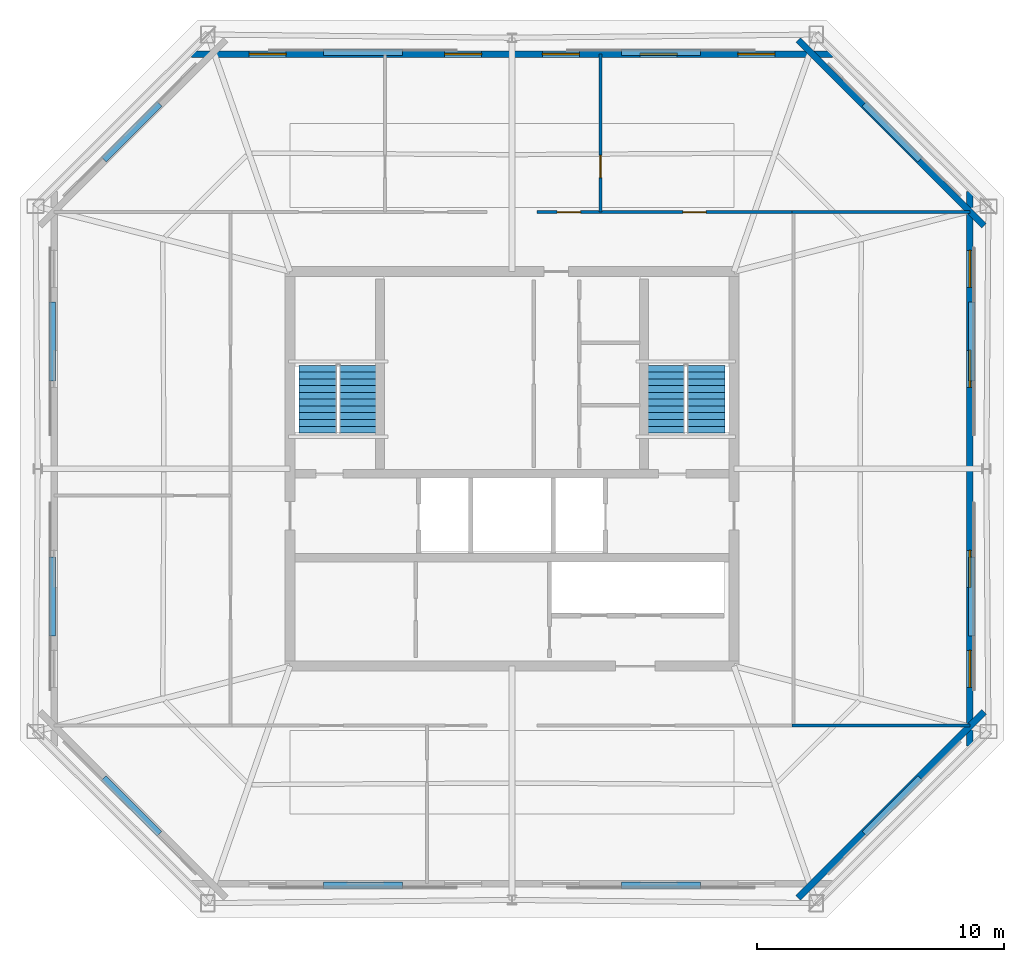
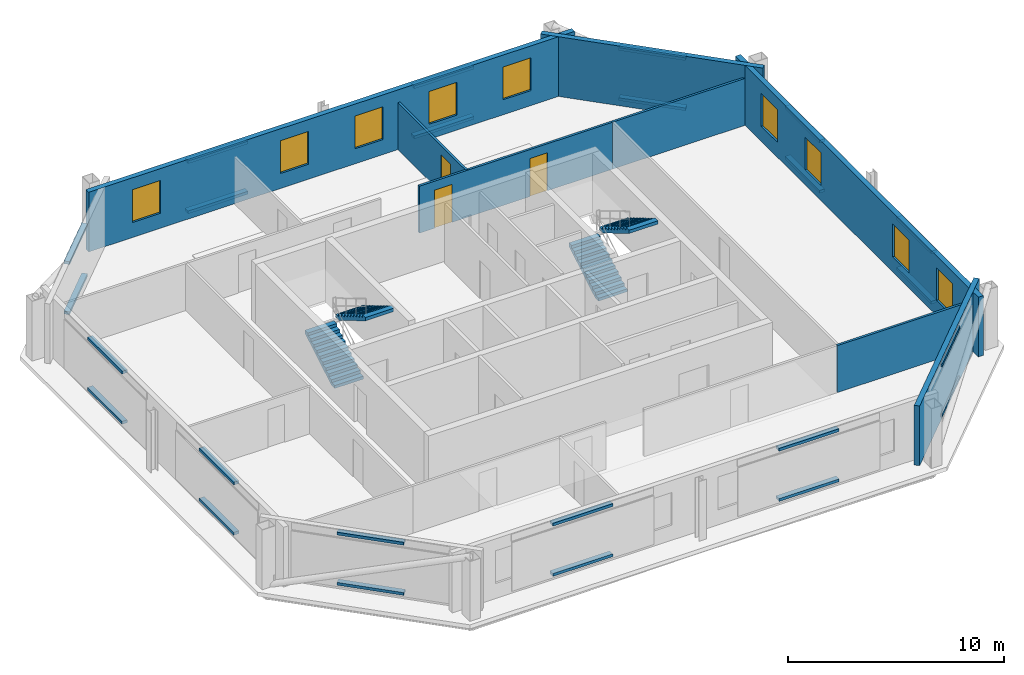
# One storey, part 4 of 6: 24 discrete accessories, 9 windows, 8 walls, 4 stair flights, 3 doors, 12 openings, 2 elements without a shape of their own.
"""IFC4 building model written with IfcOpenShell, lengths in metres."""

from ifc_helpers import new_model, si_unit, direction, frame, frame_2d, origin, origin_2d, place, context, subcontext, project, spatial, polyline, rectangle, outline, extrude, material, layer, layer_set, type_object, element, fill, aggregate, save


model = new_model("IFC4")

# Units and contexts
model_context = context("Model", 3, precision=1e-05, world=origin(), true_north=direction((0.0, 1.0)))
body_context = subcontext(model_context, "Body", "Model", "MODEL_VIEW")
ifc_project = project(units=[si_unit("LENGTHUNIT", "METRE"), si_unit("AREAUNIT", "SQUARE_METRE"), si_unit("VOLUMEUNIT", "CUBIC_METRE"), si_unit("PLANEANGLEUNIT", "RADIAN"), si_unit("MASSUNIT", "GRAM", prefix="KILO")], contexts=[model_context])

# Site, building, storey
site_placement = place(None, origin())
site = spatial("IfcSite", under=ifc_project, at=site_placement, CompositionType="ELEMENT")
building_placement = place(site_placement, origin())
building = spatial("IfcBuilding", under=site, at=building_placement, Name="Caelvoria Tower", CompositionType="ELEMENT")
storey_placement = place(building_placement, frame((0.0, 0.0, 243.0)))
storey = spatial("IfcBuildingStorey", under=building, at=storey_placement, Name="L64", CompositionType="ELEMENT", Elevation=243.0)

# Wall, opening, door
ifc_material_1 = material(Name="Acoustic Gypsum Board on Light-Gauge Stud", Category="gypsum")
ifc_layer_1 = layer(ifc_material_1, 0.1201171875, Name="Acoustic Gypsum Board on Light-Gauge Stud")
ifc_layer_set_1 = layer_set([ifc_layer_1], Name="Tenant Suite Acoustic Partition Wall 120 - Acoustic Gypsum Board on Light-Gauge Stud")
wall_type_1 = type_object("IfcWallType", Name="Tenant Suite Acoustic Partition Wall 120", PredefinedType="PARTITIONING", material=ifc_layer_set_1)
wall_1_placement = place(storey_placement, frame((49.589599609375, 42.409912109375, 0.0), z_axis=(0.0, 0.0, 1.0), x_axis=(0.0, 1.0, 0.0)))
wall_1 = element("IfcWall", 1, at=wall_1_placement, inside=storey, type_object=wall_type_1, Name="Interior Partition IW-L64-ND-01-0", PredefinedType="PARTITIONING", context=body_context, shape_type="SweptSolid", body=[
    extrude(rectangle(XDim=6.41015625, YDim=0.1201171875, at=frame_2d((3.205078125, 0.0))), origin(), (0.0, 0.0, 1.0), 2.655029296875),
])
opening_1_placement = place(wall_1_placement, frame((1.39990234375, 0.0, 0.0)))
opening_1 = element("IfcOpeningElement", 2, at=opening_1_placement, cuts=wall_1, Name="Opening ID-06", PredefinedType="OPENING", context=body_context, shape_type="SweptSolid", body=[
    extrude(rectangle(XDim=0.89990234375, YDim=2.14990234375, at=frame_2d((0.449951171875, 1.074951171875))), frame((0.0, 0.070068359375, 0.0), z_axis=(0.0, -1.0, 0.0), x_axis=(1.0, 0.0, 0.0)), (0.0, 0.0, 1.0), 0.14013671875),
])
ifc_material_2 = material(Name="Engineered Andean Oak Veneer Door", Category="wood")
door_type_1 = type_object("IfcDoorType", Name="Interior Timber Door 900x2150", OperationType="NOTDEFINED", PredefinedType="DOOR", material=ifc_material_2)
door_1_placement = place(opening_1_placement, origin())
door_1 = element("IfcDoor", 3, at=door_1_placement, inside=storey, type_object=door_type_1, Name="Interior Door DR-L64-NM-01-0", OperationType="SINGLE_SWING_LEFT", OverallHeight=2.14990234375, OverallWidth=0.89990234375, PredefinedType="DOOR", context=body_context, shape_type="SweptSolid", body=[
    extrude(rectangle(XDim=0.89990234375, YDim=2.14990234375, at=frame_2d((0.449951171875, 1.074951171875))), frame((0.0, 0.02490234375, 0.0), z_axis=(0.0, -1.0, 0.0), x_axis=(1.0, 0.0, 0.0)), (0.0, 0.0, 1.0), 0.050048828125),
])
fill(opening_1, door_1)

# Wall, openings, doors
wall_2_placement = place(storey_placement, frame((47.02001953125, 42.409912109375, 0.0), z_axis=(0.0, 0.0, 1.0), x_axis=(1.0, 0.0, 0.0)))
wall_2 = element("IfcWall", 4, at=wall_2_placement, inside=storey, type_object=wall_type_1, Name="Interior Partition IW-L64-NCW-1", PredefinedType="PARTITIONING", context=body_context, shape_type="SweptSolid", body=[
    extrude(rectangle(XDim=10.330078125, YDim=0.1201171875, at=frame_2d((5.1650390625, 0.0))), origin(), (0.0, 0.0, 1.0), 2.655029296875),
])
opening_2_placement = place(wall_2_placement, frame((0.809814453125, 0.0, 0.0)))
opening_2 = element("IfcOpeningElement", 5, at=opening_2_placement, cuts=wall_2, Name="Opening ID-05", PredefinedType="OPENING", context=body_context, shape_type="SweptSolid", body=[
    extrude(rectangle(XDim=0.949951171875, YDim=2.14990234375, at=frame_2d((0.47509765625, 1.074951171875))), frame((0.0, 0.070068359375, 0.0), z_axis=(0.0, -1.0, 0.0), x_axis=(1.0, 0.0, 0.0)), (0.0, 0.0, 1.0), 0.14013671875),
])
opening_3_placement = place(wall_2_placement, frame((5.90478515625, 0.0, 0.0)))
opening_3 = element("IfcOpeningElement", 6, at=opening_3_placement, cuts=wall_2, Name="Opening ID-05", PredefinedType="OPENING", context=body_context, shape_type="SweptSolid", body=[
    extrude(rectangle(XDim=0.949951171875, YDim=2.14990234375, at=frame_2d((0.47509765625, 1.074951171875))), frame((0.0, 0.070068359375, 0.0), z_axis=(0.0, -1.0, 0.0), x_axis=(1.0, 0.0, 0.0)), (0.0, 0.0, 1.0), 0.14013671875),
])
door_type_2 = type_object("IfcDoorType", Name="Interior Timber Door 950x2150", OperationType="NOTDEFINED", PredefinedType="DOOR", material=ifc_material_2)
door_2_placement = place(opening_2_placement, origin())
door_2 = element("IfcDoor", 7, at=door_2_placement, inside=storey, type_object=door_type_2, Name="Interior Door DR-L64-NC-01-1", OperationType="SINGLE_SWING_LEFT", OverallHeight=2.14990234375, OverallWidth=0.949951171875, PredefinedType="DOOR", context=body_context, shape_type="SweptSolid", body=[
    extrude(rectangle(XDim=0.949951171875, YDim=2.14990234375, at=frame_2d((0.47509765625, 1.074951171875))), frame((0.0, 0.02490234375, 0.0), z_axis=(0.0, -1.0, 0.0), x_axis=(1.0, 0.0, 0.0)), (0.0, 0.0, 1.0), 0.050048828125),
])
fill(opening_2, door_2)
door_3_placement = place(opening_3_placement, origin())
door_3 = element("IfcDoor", 8, at=door_3_placement, inside=storey, type_object=door_type_2, Name="Interior Door DR-L64-NC-02-0", OperationType="SINGLE_SWING_LEFT", OverallHeight=2.14990234375, OverallWidth=0.949951171875, PredefinedType="DOOR", context=body_context, shape_type="SweptSolid", body=[
    extrude(rectangle(XDim=0.949951171875, YDim=2.14990234375, at=frame_2d((0.47509765625, 1.074951171875))), frame((0.0, 0.02490234375, 0.0), z_axis=(0.0, -1.0, 0.0), x_axis=(1.0, 0.0, 0.0)), (0.0, 0.0, 1.0), 0.050048828125),
])
fill(opening_3, door_3)

# Walls
for number, where, z_axis, x_axis, name in (
    (9, (57.35009765625, 21.590087890625, 0.0), (0.0, 0.0, 1.0), (1.0, 0.0, 0.0), "Interior Partition IW-L64-BSE-0"),
    (10, (57.35009765625, 42.409912109375, 0.0), (0.0, 0.0, 1.0), (1.0, 0.0, 0.0), "Interior Partition IW-L64-BNE-0"),
):
    element("IfcWall", number, at=place(storey_placement, frame(where, z_axis=z_axis, x_axis=x_axis)), inside=storey, type_object=wall_type_1, Name=name, PredefinedType="PARTITIONING", context=body_context, shape_type="SweptSolid", body=[
        extrude(rectangle(XDim=7.219970703125, YDim=0.1201171875, at=frame_2d((3.60986328125, 0.0))), origin(), (0.0, 0.0, 1.0), 2.655029296875),
    ])
ifc_material_3 = material(Name="Precast Concrete C40/50 with Bronze Cladding", Category="concrete")
ifc_layer_2 = layer(ifc_material_3, 0.264892578125, Name="Precast Concrete C40/50 with Bronze Cladding")
ifc_layer_set_2 = layer_set([ifc_layer_2], Name="Upper Taper Precast Concrete C40/50 Bronze Facade Wall 265 - Precast Concrete C40/50 with Bronze Cladding")
wall_type_2 = type_object("IfcWallType", Name="Upper Taper Precast Concrete C40/50 Bronze Facade Wall 265", PredefinedType="STANDARD", material=ifc_layer_set_2)
wall_3_placement = place(storey_placement, frame((57.6044921875, 14.606201171875, 0.0), z_axis=(0.0, 0.0, 1.0), x_axis=(0.707106781187, 0.707106781187, 0.0)))
element("IfcWall", 11, at=wall_3_placement, inside=storey, type_object=wall_type_2, Name="Exterior Facade Wall L64-E1", PredefinedType="STANDARD", context=body_context, shape_type="SweptSolid", body=[
    extrude(rectangle(XDim=10.662109375, YDim=0.264892578125, at=frame_2d((5.3310546875, 0.0))), origin(), (0.0, 0.0, 1.0), 3.375),
])

# Wall, openings, windows
wall_4_placement = place(storey_placement, frame((64.570068359375, 20.760009765625, 0.0), z_axis=(0.0, 0.0, 1.0), x_axis=(0.0, 1.0, 0.0)))
wall_4 = element("IfcWall", 12, at=wall_4_placement, inside=storey, type_object=wall_type_2, Name="Exterior Facade Wall L64-E2", PredefinedType="STANDARD", context=body_context, shape_type="SweptSolid", body=[
    extrude(rectangle(XDim=22.47998046875, YDim=0.264892578125, at=frame_2d((11.239990234375, 0.0))), origin(), (0.0, 0.0, 1.0), 3.375),
])
opening_4_placement = place(wall_4_placement, frame((2.3779296875, 0.0, 0.85009765625)))
opening_4 = element("IfcOpeningElement", 13, at=opening_4_placement, cuts=wall_4, Name="Opening WN-03", PredefinedType="OPENING", context=body_context, shape_type="SweptSolid", body=[
    extrude(rectangle(XDim=1.5, YDim=1.85009765625, at=frame_2d((0.75, 0.925048828125))), frame((0.0, 0.142333984375, 0.0), z_axis=(0.0, -1.0, 0.0), x_axis=(1.0, 0.0, 0.0)), (0.0, 0.0, 1.0), 0.284912109375),
])
opening_5_placement = place(wall_4_placement, frame((6.43408203125, 0.0, 0.85009765625)))
opening_5 = element("IfcOpeningElement", 14, at=opening_5_placement, cuts=wall_4, Name="Opening WN-03", PredefinedType="OPENING", context=body_context, shape_type="SweptSolid", body=[
    extrude(rectangle(XDim=1.5, YDim=1.85009765625, at=frame_2d((0.75, 0.925048828125))), frame((0.0, 0.142333984375, 0.0), z_axis=(0.0, -1.0, 0.0), x_axis=(1.0, 0.0, 0.0)), (0.0, 0.0, 1.0), 0.284912109375),
])
opening_6_placement = place(wall_4_placement, frame((14.5458984375, 0.0, 0.85009765625)))
opening_6 = element("IfcOpeningElement", 15, at=opening_6_placement, cuts=wall_4, Name="Opening WN-03", PredefinedType="OPENING", context=body_context, shape_type="SweptSolid", body=[
    extrude(rectangle(XDim=1.5, YDim=1.85009765625, at=frame_2d((0.75, 0.925048828125))), frame((0.0, 0.142333984375, 0.0), z_axis=(0.0, -1.0, 0.0), x_axis=(1.0, 0.0, 0.0)), (0.0, 0.0, 1.0), 0.284912109375),
])
opening_7_placement = place(wall_4_placement, frame((18.60205078125, 0.0, 0.85009765625)))
opening_7 = element("IfcOpeningElement", 16, at=opening_7_placement, cuts=wall_4, Name="Opening WN-03", PredefinedType="OPENING", context=body_context, shape_type="SweptSolid", body=[
    extrude(rectangle(XDim=1.5, YDim=1.85009765625, at=frame_2d((0.75, 0.925048828125))), frame((0.0, 0.142333984375, 0.0), z_axis=(0.0, -1.0, 0.0), x_axis=(1.0, 0.0, 0.0)), (0.0, 0.0, 1.0), 0.284912109375),
])
ifc_material_4 = material(Name="Low-E Tinted Glass in Bronze Aluminium Frame", Category="aluminium")
window_type = type_object("IfcWindowType", Name="Upper Taper Vision Window 1500x1850", PartitioningType="SINGLE_PANEL", PredefinedType="WINDOW", material=ifc_material_4)
window_1_placement = place(opening_4_placement, origin())
window_1 = element("IfcWindow", 17, at=window_1_placement, inside=storey, type_object=window_type, Name="Facade Window L64-E2-00", OverallHeight=1.85009765625, OverallWidth=1.5, PartitioningType="SINGLE_PANEL", PredefinedType="WINDOW", context=body_context, shape_type="SweptSolid", body=[
    extrude(rectangle(XDim=1.5, YDim=1.85009765625, at=frame_2d((0.75, 0.925048828125))), frame((0.0, 0.030029296875, 0.0), z_axis=(0.0, -1.0, 0.0), x_axis=(1.0, 0.0, 0.0)), (0.0, 0.0, 1.0), 0.06005859375),
])
fill(opening_4, window_1)
window_2_placement = place(opening_5_placement, origin())
window_2 = element("IfcWindow", 18, at=window_2_placement, inside=storey, type_object=window_type, Name="Facade Window L64-E2-01", OverallHeight=1.85009765625, OverallWidth=1.5, PartitioningType="SINGLE_PANEL", PredefinedType="WINDOW", context=body_context, shape_type="SweptSolid", body=[
    extrude(rectangle(XDim=1.5, YDim=1.85009765625, at=frame_2d((0.75, 0.925048828125))), frame((0.0, 0.030029296875, 0.0), z_axis=(0.0, -1.0, 0.0), x_axis=(1.0, 0.0, 0.0)), (0.0, 0.0, 1.0), 0.06005859375),
])
fill(opening_5, window_2)
window_3_placement = place(opening_6_placement, origin())
window_3 = element("IfcWindow", 19, at=window_3_placement, inside=storey, type_object=window_type, Name="Facade Window L64-E2-03", OverallHeight=1.85009765625, OverallWidth=1.5, PartitioningType="SINGLE_PANEL", PredefinedType="WINDOW", context=body_context, shape_type="SweptSolid", body=[
    extrude(rectangle(XDim=1.5, YDim=1.85009765625, at=frame_2d((0.75, 0.925048828125))), frame((0.0, 0.030029296875, 0.0), z_axis=(0.0, -1.0, 0.0), x_axis=(1.0, 0.0, 0.0)), (0.0, 0.0, 1.0), 0.06005859375),
])
fill(opening_6, window_3)
window_4_placement = place(opening_7_placement, origin())
window_4 = element("IfcWindow", 20, at=window_4_placement, inside=storey, type_object=window_type, Name="Facade Window L64-E2-04", OverallHeight=1.85009765625, OverallWidth=1.5, PartitioningType="SINGLE_PANEL", PredefinedType="WINDOW", context=body_context, shape_type="SweptSolid", body=[
    extrude(rectangle(XDim=1.5, YDim=1.85009765625, at=frame_2d((0.75, 0.925048828125))), frame((0.0, 0.030029296875, 0.0), z_axis=(0.0, -1.0, 0.0), x_axis=(1.0, 0.0, 0.0)), (0.0, 0.0, 1.0), 0.06005859375),
])
fill(opening_7, window_4)

# Wall
wall_5_placement = place(storey_placement, frame((65.143798828125, 41.8544921875, 0.0), z_axis=(0.0, 0.0, 1.0), x_axis=(-0.707106781187, 0.707106781187, 0.0)))
element("IfcWall", 21, at=wall_5_placement, inside=storey, type_object=wall_type_2, Name="Exterior Facade Wall L64-E3", PredefinedType="STANDARD", context=body_context, shape_type="SweptSolid", body=[
    extrude(rectangle(XDim=10.662109375, YDim=0.264892578125, at=frame_2d((5.3310546875, 0.0))), origin(), (0.0, 0.0, 1.0), 3.375),
])

# Wall, openings, windows
wall_6_placement = place(storey_placement, frame((58.989990234375, 48.820068359375, 0.0), z_axis=(0.0, 0.0, 1.0), x_axis=(-1.0, 0.0, 0.0)))
wall_6 = element("IfcWall", 22, at=wall_6_placement, inside=storey, type_object=wall_type_2, Name="Exterior Facade Wall L64-E4", PredefinedType="STANDARD", context=body_context, shape_type="SweptSolid", body=[
    extrude(rectangle(XDim=25.97998046875, YDim=0.264892578125, at=frame_2d((12.989990234375, 0.0))), origin(), (0.0, 0.0, 1.0), 3.375),
])
opening_8_placement = place(wall_6_placement, frame((2.331787109375, 0.0, 0.85009765625)))
opening_8 = element("IfcOpeningElement", 23, at=opening_8_placement, cuts=wall_6, Name="Opening WN-03", PredefinedType="OPENING", context=body_context, shape_type="SweptSolid", body=[
    extrude(rectangle(XDim=1.5, YDim=1.85009765625, at=frame_2d((0.75, 0.925048828125))), frame((0.0, 0.142333984375, 0.0), z_axis=(0.0, -1.0, 0.0), x_axis=(1.0, 0.0, 0.0)), (0.0, 0.0, 1.0), 0.284912109375),
])
opening_9_placement = place(wall_6_placement, frame((6.294921875, 0.0, 0.85009765625)))
opening_9 = element("IfcOpeningElement", 24, at=opening_9_placement, cuts=wall_6, Name="Opening WN-03", PredefinedType="OPENING", context=body_context, shape_type="SweptSolid", body=[
    extrude(rectangle(XDim=1.5, YDim=1.85009765625, at=frame_2d((0.75, 0.925048828125))), frame((0.0, 0.142333984375, 0.0), z_axis=(0.0, -1.0, 0.0), x_axis=(1.0, 0.0, 0.0)), (0.0, 0.0, 1.0), 0.284912109375),
])
opening_10_placement = place(wall_6_placement, frame((10.25830078125, 0.0, 0.85009765625)))
opening_10 = element("IfcOpeningElement", 25, at=opening_10_placement, cuts=wall_6, Name="Opening WN-03", PredefinedType="OPENING", context=body_context, shape_type="SweptSolid", body=[
    extrude(rectangle(XDim=1.5, YDim=1.85009765625, at=frame_2d((0.75, 0.925048828125))), frame((0.0, 0.142333984375, 0.0), z_axis=(0.0, -1.0, 0.0), x_axis=(1.0, 0.0, 0.0)), (0.0, 0.0, 1.0), 0.284912109375),
])
opening_11_placement = place(wall_6_placement, frame((14.2216796875, 0.0, 0.85009765625)))
opening_11 = element("IfcOpeningElement", 26, at=opening_11_placement, cuts=wall_6, Name="Opening WN-03", PredefinedType="OPENING", context=body_context, shape_type="SweptSolid", body=[
    extrude(rectangle(XDim=1.5, YDim=1.85009765625, at=frame_2d((0.75, 0.925048828125))), frame((0.0, 0.142333984375, 0.0), z_axis=(0.0, -1.0, 0.0), x_axis=(1.0, 0.0, 0.0)), (0.0, 0.0, 1.0), 0.284912109375),
])
opening_12_placement = place(wall_6_placement, frame((22.148193359375, 0.0, 0.85009765625)))
opening_12 = element("IfcOpeningElement", 27, at=opening_12_placement, cuts=wall_6, Name="Opening WN-03", PredefinedType="OPENING", context=body_context, shape_type="SweptSolid", body=[
    extrude(rectangle(XDim=1.5, YDim=1.85009765625, at=frame_2d((0.75, 0.925048828125))), frame((0.0, 0.142333984375, 0.0), z_axis=(0.0, -1.0, 0.0), x_axis=(1.0, 0.0, 0.0)), (0.0, 0.0, 1.0), 0.284912109375),
])
window_5_placement = place(opening_8_placement, origin())
window_5 = element("IfcWindow", 28, at=window_5_placement, inside=storey, type_object=window_type, Name="Facade Window L64-E4-00", OverallHeight=1.85009765625, OverallWidth=1.5, PartitioningType="SINGLE_PANEL", PredefinedType="WINDOW", context=body_context, shape_type="SweptSolid", body=[
    extrude(rectangle(XDim=1.5, YDim=1.85009765625, at=frame_2d((0.75, 0.925048828125))), frame((0.0, 0.030029296875, 0.0), z_axis=(0.0, -1.0, 0.0), x_axis=(1.0, 0.0, 0.0)), (0.0, 0.0, 1.0), 0.06005859375),
])
fill(opening_8, window_5)
window_6_placement = place(opening_9_placement, origin())
window_6 = element("IfcWindow", 29, at=window_6_placement, inside=storey, type_object=window_type, Name="Facade Window L64-E4-01", OverallHeight=1.85009765625, OverallWidth=1.5, PartitioningType="SINGLE_PANEL", PredefinedType="WINDOW", context=body_context, shape_type="SweptSolid", body=[
    extrude(rectangle(XDim=1.5, YDim=1.85009765625, at=frame_2d((0.75, 0.925048828125))), frame((0.0, 0.030029296875, 0.0), z_axis=(0.0, -1.0, 0.0), x_axis=(1.0, 0.0, 0.0)), (0.0, 0.0, 1.0), 0.06005859375),
])
fill(opening_9, window_6)
window_7_placement = place(opening_10_placement, origin())
window_7 = element("IfcWindow", 30, at=window_7_placement, inside=storey, type_object=window_type, Name="Facade Window L64-E4-02", OverallHeight=1.85009765625, OverallWidth=1.5, PartitioningType="SINGLE_PANEL", PredefinedType="WINDOW", context=body_context, shape_type="SweptSolid", body=[
    extrude(rectangle(XDim=1.5, YDim=1.85009765625, at=frame_2d((0.75, 0.925048828125))), frame((0.0, 0.030029296875, 0.0), z_axis=(0.0, -1.0, 0.0), x_axis=(1.0, 0.0, 0.0)), (0.0, 0.0, 1.0), 0.06005859375),
])
fill(opening_10, window_7)
window_8_placement = place(opening_11_placement, origin())
window_8 = element("IfcWindow", 31, at=window_8_placement, inside=storey, type_object=window_type, Name="Facade Window L64-E4-03", OverallHeight=1.85009765625, OverallWidth=1.5, PartitioningType="SINGLE_PANEL", PredefinedType="WINDOW", context=body_context, shape_type="SweptSolid", body=[
    extrude(rectangle(XDim=1.5, YDim=1.85009765625, at=frame_2d((0.75, 0.925048828125))), frame((0.0, 0.030029296875, 0.0), z_axis=(0.0, -1.0, 0.0), x_axis=(1.0, 0.0, 0.0)), (0.0, 0.0, 1.0), 0.06005859375),
])
fill(opening_11, window_8)
window_9_placement = place(opening_12_placement, origin())
window_9 = element("IfcWindow", 32, at=window_9_placement, inside=storey, type_object=window_type, Name="Facade Window L64-E4-05", OverallHeight=1.85009765625, OverallWidth=1.5, PartitioningType="SINGLE_PANEL", PredefinedType="WINDOW", context=body_context, shape_type="SweptSolid", body=[
    extrude(rectangle(XDim=1.5, YDim=1.85009765625, at=frame_2d((0.75, 0.925048828125))), frame((0.0, 0.030029296875, 0.0), z_axis=(0.0, -1.0, 0.0), x_axis=(1.0, 0.0, 0.0)), (0.0, 0.0, 1.0), 0.06005859375),
])
fill(opening_12, window_9)

# Stair, stair flights
ifc_material_5 = material(Name="Concrete C40/50", Category="concrete")
stair_type = type_object("IfcStairType", Name="Core Smokeproof Dogleg Stair Concrete C40/50", PredefinedType="HALF_TURN_STAIR", material=ifc_material_5)
stair_1_placement = place(storey_placement, origin())
stair_1 = element("IfcStair", 33, at=stair_1_placement, inside=storey, type_object=stair_type, Name="ST-01 Smokeproof Exit Stair L64", PredefinedType="HALF_TURN_STAIR")
ifc_material_6 = material(Name="Precast Concrete C40/50", Category="concrete")
stair_flight_type = type_object("IfcStairFlightType", Name="Precast Concrete C40/50 Stair Flight 1480", PredefinedType="STRAIGHT", material=ifc_material_6)
stair_flight_1_placement = place(storey_placement, frame((38.1298828125, 33.449951171875, 0.0), z_axis=(0.0, 0.0, 1.0), x_axis=(0.0, 1.0, 0.0)))
stair_flight_1 = element("IfcStairFlight", 34, at=stair_flight_1_placement, type_object=stair_flight_type, Name="ST-01 flight 1", NumberOfRisers=11, NumberOfTreads=10, PredefinedType="STRAIGHT", RiserHeight=0.1636, TreadLength=0.275, context=body_context, shape_type="SweptSolid", body=[
    extrude(outline(polyline([(0.0, 0.0), (0.0, 0.16357421875), (0.27490234375, 0.16357421875), (0.27490234375, 0.3271484375), (0.550048828125, 0.3271484375), (0.550048828125, 0.49072265625), (0.824951171875, 0.49072265625), (0.824951171875, 0.654296875), (1.10009765625, 0.654296875), (1.10009765625, 0.818115234375), (1.375, 0.818115234375), (1.375, 0.981689453125), (1.64990234375, 0.981689453125), (1.64990234375, 1.145263671875), (1.925048828125, 1.145263671875), (1.925048828125, 1.308837890625), (2.199951171875, 1.308837890625), (2.199951171875, 1.472412109375), (2.47509765625, 1.472412109375), (2.47509765625, 1.635986328125), (2.75, 1.635986328125), (2.75, 1.799560546875), (2.75, 1.449951171875), (0.312744140625, 0.0), (0.0, 0.0)])), frame((0.0, 0.77001953125, 0.0), z_axis=(0.0, -1.0, 0.0), x_axis=(1.0, 0.0, 0.0)), (0.0, 0.0, 1.0), 1.5400390625),
])
stair_flight_2_placement = place(storey_placement, frame((39.77001953125, 36.199951171875, 1.800048828125), z_axis=(0.0, 0.0, 1.0), x_axis=(0.0, -1.0, 0.0)))
stair_flight_2 = element("IfcStairFlight", 35, at=stair_flight_2_placement, type_object=stair_flight_type, Name="ST-01 flight 2", NumberOfRisers=11, NumberOfTreads=10, PredefinedType="STRAIGHT", RiserHeight=0.1636, TreadLength=0.275, context=body_context, shape_type="SweptSolid", body=[
    extrude(outline(polyline([(0.0, 0.0), (0.0, 0.16357421875), (0.27490234375, 0.16357421875), (0.27490234375, 0.3271484375), (0.550048828125, 0.3271484375), (0.550048828125, 0.49072265625), (0.824951171875, 0.49072265625), (0.824951171875, 0.654296875), (1.10009765625, 0.654296875), (1.10009765625, 0.818115234375), (1.375, 0.818115234375), (1.375, 0.981689453125), (1.64990234375, 0.981689453125), (1.64990234375, 1.145263671875), (1.925048828125, 1.145263671875), (1.925048828125, 1.308837890625), (2.199951171875, 1.308837890625), (2.199951171875, 1.472412109375), (2.47509765625, 1.472412109375), (2.47509765625, 1.635986328125), (2.75, 1.635986328125), (2.75, 1.799560546875), (2.75, 1.449951171875), (0.312744140625, 0.0), (0.0, 0.0)])), frame((0.0, 0.77001953125, 0.0), z_axis=(0.0, -1.0, 0.0), x_axis=(1.0, 0.0, 0.0)), (0.0, 0.0, 1.0), 1.5400390625),
])
aggregate(stair_1, [stair_flight_1, stair_flight_2])

stair_2_placement = place(storey_placement, origin())
stair_2 = element("IfcStair", 36, at=stair_2_placement, inside=storey, type_object=stair_type, Name="ST-02 Smokeproof Exit Stair L64", PredefinedType="HALF_TURN_STAIR")
stair_flight_3_placement = place(storey_placement, frame((52.22998046875, 33.449951171875, 0.0), z_axis=(0.0, 0.0, 1.0), x_axis=(0.0, 1.0, 0.0)))
stair_flight_3 = element("IfcStairFlight", 37, at=stair_flight_3_placement, type_object=stair_flight_type, Name="ST-02 flight 1", NumberOfRisers=11, NumberOfTreads=10, PredefinedType="STRAIGHT", RiserHeight=0.1636, TreadLength=0.275, context=body_context, shape_type="SweptSolid", body=[
    extrude(outline(polyline([(0.0, 0.0), (0.0, 0.16357421875), (0.27490234375, 0.16357421875), (0.27490234375, 0.3271484375), (0.550048828125, 0.3271484375), (0.550048828125, 0.49072265625), (0.824951171875, 0.49072265625), (0.824951171875, 0.654296875), (1.10009765625, 0.654296875), (1.10009765625, 0.818115234375), (1.375, 0.818115234375), (1.375, 0.981689453125), (1.64990234375, 0.981689453125), (1.64990234375, 1.145263671875), (1.925048828125, 1.145263671875), (1.925048828125, 1.308837890625), (2.199951171875, 1.308837890625), (2.199951171875, 1.472412109375), (2.47509765625, 1.472412109375), (2.47509765625, 1.635986328125), (2.75, 1.635986328125), (2.75, 1.799560546875), (2.75, 1.449951171875), (0.312744140625, 0.0), (0.0, 0.0)])), frame((0.0, 0.77001953125, 0.0), z_axis=(0.0, -1.0, 0.0), x_axis=(1.0, 0.0, 0.0)), (0.0, 0.0, 1.0), 1.5400390625),
])
stair_flight_4_placement = place(storey_placement, frame((53.8701171875, 36.199951171875, 1.800048828125), z_axis=(0.0, 0.0, 1.0), x_axis=(0.0, -1.0, 0.0)))
stair_flight_4 = element("IfcStairFlight", 38, at=stair_flight_4_placement, type_object=stair_flight_type, Name="ST-02 flight 2", NumberOfRisers=11, NumberOfTreads=10, PredefinedType="STRAIGHT", RiserHeight=0.1636, TreadLength=0.275, context=body_context, shape_type="SweptSolid", body=[
    extrude(outline(polyline([(0.0, 0.0), (0.0, 0.16357421875), (0.27490234375, 0.16357421875), (0.27490234375, 0.3271484375), (0.550048828125, 0.3271484375), (0.550048828125, 0.49072265625), (0.824951171875, 0.49072265625), (0.824951171875, 0.654296875), (1.10009765625, 0.654296875), (1.10009765625, 0.818115234375), (1.375, 0.818115234375), (1.375, 0.981689453125), (1.64990234375, 0.981689453125), (1.64990234375, 1.145263671875), (1.925048828125, 1.145263671875), (1.925048828125, 1.308837890625), (2.199951171875, 1.308837890625), (2.199951171875, 1.472412109375), (2.47509765625, 1.472412109375), (2.47509765625, 1.635986328125), (2.75, 1.635986328125), (2.75, 1.799560546875), (2.75, 1.449951171875), (0.312744140625, 0.0), (0.0, 0.0)])), frame((0.0, 0.77001953125, 0.0), z_axis=(0.0, -1.0, 0.0), x_axis=(1.0, 0.0, 0.0)), (0.0, 0.0, 1.0), 1.5400390625),
])
aggregate(stair_2, [stair_flight_3, stair_flight_4])

# Discrete accessories
ifc_material_7 = material(Name="Anodised Bronze Stainless Bracket", Category="bronze")
discrete_accessory_type = type_object("IfcDiscreteAccessoryType", Name="Solar Screen Outrigger Support Bracket", PredefinedType="BRACKET", material=ifc_material_7)
for number, where, z_axis, x_axis, name in (
    (39, (39.955078125, 15.107177734375, 0.240234375), (0.0, 0.0, 1.0), (1.0, 0.0, 0.0), "Solar Screen Bracket L64-E0-00"),
    (40, (39.955078125, 15.107177734375, 3.0751953125), (0.0, 0.0, 1.0), (1.0, 0.0, 0.0), "Upper Screen Band Bracket L64-E0-00"),
    (41, (52.044921875, 15.107177734375, 0.240234375), (0.0, 0.0, 1.0), (1.0, 0.0, 0.0), "Solar Screen Bracket L64-E0-01"),
    (42, (52.044921875, 15.107177734375, 3.0751953125), (0.0, 0.0, 1.0), (1.0, 0.0, 0.0), "Upper Screen Band Bracket L64-E0-01"),
    (43, (61.42578125, 18.32421875, 0.240234375), (0.0, 0.0, 1.0), (0.707106781187, 0.707106781187, 0.0), "Solar Screen Bracket L64-E1-00"),
    (44, (61.42578125, 18.32421875, 3.0751953125), (0.0, 0.0, 1.0), (0.707106781187, 0.707106781187, 0.0), "Upper Screen Band Bracket L64-E1-00"),
    (45, (64.642822265625, 26.830078125, 0.240234375), (0.0, 0.0, 1.0), (0.0, 1.0, 0.0), "Solar Screen Bracket L64-E2-00"),
    (46, (64.642822265625, 26.830078125, 3.0751953125), (0.0, 0.0, 1.0), (0.0, 1.0, 0.0), "Upper Screen Band Bracket L64-E2-00"),
    (47, (64.642822265625, 37.169921875, 0.240234375), (0.0, 0.0, 1.0), (0.0, 1.0, 0.0), "Solar Screen Bracket L64-E2-01"),
    (48, (64.642822265625, 37.169921875, 3.0751953125), (0.0, 0.0, 1.0), (0.0, 1.0, 0.0), "Upper Screen Band Bracket L64-E2-01"),
    (49, (61.42578125, 45.67578125, 0.240234375), (0.0, 0.0, 1.0), (-0.707106781187, 0.707106781187, 0.0), "Solar Screen Bracket L64-E3-00"),
    (50, (61.42578125, 45.67578125, 3.0751953125), (0.0, 0.0, 1.0), (-0.707106781187, 0.707106781187, 0.0), "Upper Screen Band Bracket L64-E3-00"),
    (51, (52.044921875, 48.892822265625, 0.240234375), (0.0, 0.0, 1.0), (-1.0, 0.0, 0.0), "Solar Screen Bracket L64-E4-00"),
    (52, (52.044921875, 48.892822265625, 3.0751953125), (0.0, 0.0, 1.0), (-1.0, 0.0, 0.0), "Upper Screen Band Bracket L64-E4-00"),
    (53, (39.955078125, 48.892822265625, 0.240234375), (0.0, 0.0, 1.0), (-1.0, 0.0, 0.0), "Solar Screen Bracket L64-E4-01"),
    (54, (39.955078125, 48.892822265625, 3.0751953125), (0.0, 0.0, 1.0), (-1.0, 0.0, 0.0), "Upper Screen Band Bracket L64-E4-01"),
    (55, (30.57421875, 45.67578125, 0.240234375), (0.0, 0.0, 1.0), (-0.707106781187, -0.707106781187, 0.0), "Solar Screen Bracket L64-E5-00"),
    (56, (30.57421875, 45.67578125, 3.0751953125), (0.0, 0.0, 1.0), (-0.707106781187, -0.707106781187, 0.0), "Upper Screen Band Bracket L64-E5-00"),
    (57, (27.357177734375, 37.169921875, 0.240234375), (0.0, 0.0, 1.0), (0.0, -1.0, 0.0), "Solar Screen Bracket L64-E6-00"),
    (58, (27.357177734375, 37.169921875, 3.0751953125), (0.0, 0.0, 1.0), (0.0, -1.0, 0.0), "Upper Screen Band Bracket L64-E6-00"),
    (59, (27.357177734375, 26.830078125, 0.240234375), (0.0, 0.0, 1.0), (0.0, -1.0, 0.0), "Solar Screen Bracket L64-E6-01"),
    (60, (27.357177734375, 26.830078125, 3.0751953125), (0.0, 0.0, 1.0), (0.0, -1.0, 0.0), "Upper Screen Band Bracket L64-E6-01"),
    (61, (30.57421875, 18.32421875, 0.240234375), (0.0, 0.0, 1.0), (0.707106781187, -0.707106781187, 0.0), "Solar Screen Bracket L64-E7-00"),
    (62, (30.57421875, 18.32421875, 3.0751953125), (0.0, 0.0, 1.0), (0.707106781187, -0.707106781187, 0.0), "Upper Screen Band Bracket L64-E7-00"),
):
    element("IfcDiscreteAccessory", number, at=place(storey_placement, frame(where, z_axis=z_axis, x_axis=x_axis)), inside=storey, type_object=discrete_accessory_type, Name=name, PredefinedType="BRACKET", context=body_context, shape_type="SweptSolid", body=[
        extrude(rectangle(XDim=3.199951171875, YDim=0.280029296875, at=origin_2d()), origin(), (0.0, 0.0, 1.0), 0.159912109375),
    ])

save(model, "model.ifc")
